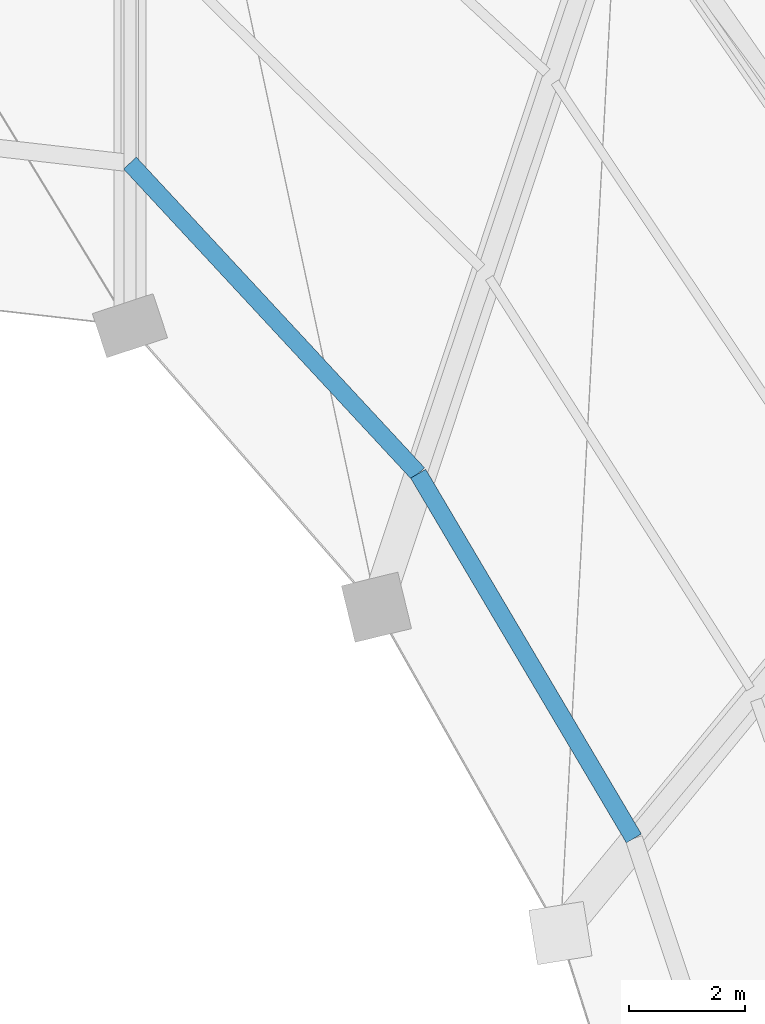
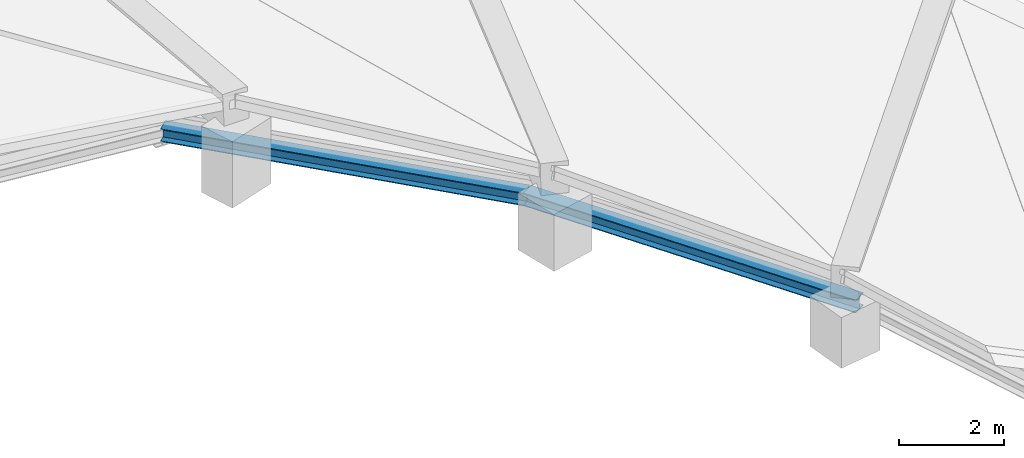
# One storey, part 38 of 67: 2 beams.
"""IFC4 building model written with IfcOpenShell, lengths in metres."""

from ifc_helpers import new_model, si_unit, direction, frame, origin, origin_2d, place, context, subcontext, project, spatial, i_section, extrude, material, material_profile, profile_set, type_object, element, save


model = new_model("IFC4")

# Units and contexts
model_context = context("Model", 3, precision=1e-05, world=origin(), true_north=direction((0.0, 1.0)))
body_context = subcontext(model_context, "Body", "Model", "MODEL_VIEW")
ifc_project = project(units=[si_unit("LENGTHUNIT", "METRE"), si_unit("AREAUNIT", "SQUARE_METRE"), si_unit("VOLUMEUNIT", "CUBIC_METRE"), si_unit("PLANEANGLEUNIT", "RADIAN"), si_unit("MASSUNIT", "GRAM", prefix="KILO")], contexts=[model_context])

# Site, building, storey
site_placement = place(None, origin())
site = spatial("IfcSite", under=ifc_project, at=site_placement, CompositionType="ELEMENT")
building_placement = place(site_placement, origin())
building = spatial("IfcBuilding", under=site, at=building_placement, Name="Sohan Crest Arena", CompositionType="ELEMENT")
storey_placement = place(building_placement, frame((0.0, 0.0, 22.5)))
storey = spatial("IfcBuildingStorey", under=building, at=storey_placement, Name="L05", CompositionType="ELEMENT", Elevation=22.5)

# Beams
ifc_material = material(Name="Steel S355", Category="steel")
ifc_material_profile = material_profile(ifc_material, i_section(OverallWidth=0.300048828125, OverallDepth=0.300048828125, WebThickness=0.010986328125, FlangeThickness=0.01904296875, at=origin_2d()), Name="HEB 300")
ifc_profile_set = profile_set([ifc_material_profile], Name="Steel S355")
beam_type = type_object("IfcBeamType", Name="STR-BM-B12", PredefinedType="BEAM", material=ifc_profile_set)
beam_1_placement = place(storey_placement, frame((176.674072265625, 92.175048828125, -0.3701171875), z_axis=(-0.509085626747, 0.860715879161, 0.0), x_axis=(-0.860715879161, -0.509085626747, 0.0)))
element("IfcBeam", 1, at=beam_1_placement, inside=storey, type_object=beam_type, Name="Structural beam G-L05-1822", PredefinedType="BEAM", context=body_context, shape_type="SweptSolid", body=[
    extrude(i_section(OverallWidth=0.300048828125, OverallDepth=0.300048828125, WebThickness=0.010986328125, FlangeThickness=0.01904296875, at=origin_2d()), origin(), (0.0, 0.0, 1.0), 7.293701171875),
])
beam_2_placement = place(storey_placement, frame((172.9609375, 98.452880859375, -0.3701171875), z_axis=(-0.680135214567, 0.733086686488, 0.0), x_axis=(-0.733086686488, -0.680135214567, 0.0)))
element("IfcBeam", 2, at=beam_2_placement, inside=storey, type_object=beam_type, Name="Structural beam G-L05-1827", PredefinedType="BEAM", context=body_context, shape_type="SweptSolid", body=[
    extrude(i_section(OverallWidth=0.300048828125, OverallDepth=0.300048828125, WebThickness=0.010986328125, FlangeThickness=0.01904296875, at=origin_2d()), origin(), (0.0, 0.0, 1.0), 7.2939453125),
])

save(model, "model.ifc")
